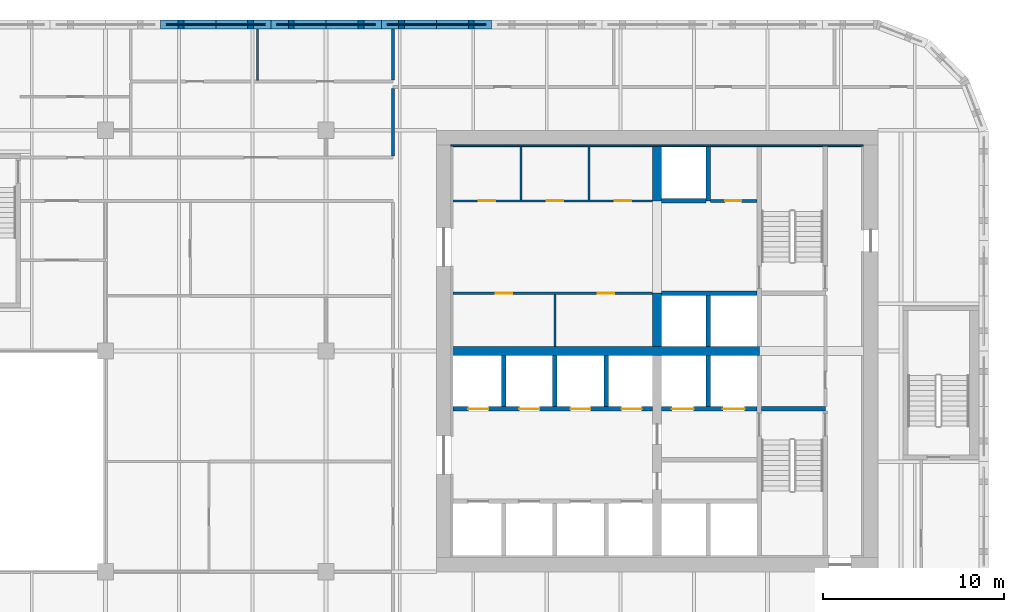
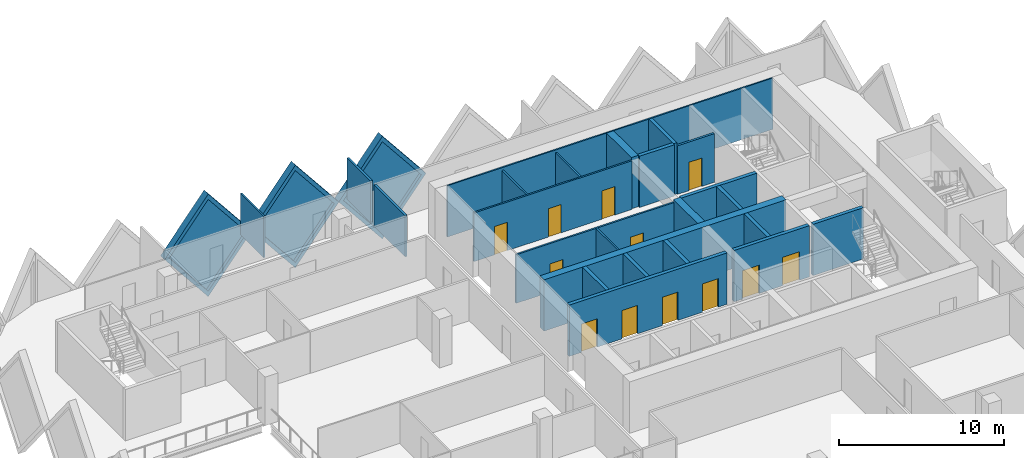
# One storey, part 9 of 19: 27 walls, 12 doors, 3 plates, 15 openings.
"""IFC4 building model written with IfcOpenShell, lengths in metres."""

from ifc_helpers import new_model, si_unit, direction, frame, frame_2d, origin, place, context, subcontext, project, spatial, polyline, rectangle, outline, extrude, faceted_brep, source, transform, mapped, material, layer, layer_set, type_object, element, fill, save


model = new_model("IFC4")

# Units and contexts
model_context = context("Model", 3, precision=1e-05, world=origin(), true_north=direction((0.0, 1.0)))
body_context = subcontext(model_context, "Body", "Model", "MODEL_VIEW")
ifc_project = project(units=[si_unit("LENGTHUNIT", "METRE"), si_unit("AREAUNIT", "SQUARE_METRE"), si_unit("VOLUMEUNIT", "CUBIC_METRE"), si_unit("PLANEANGLEUNIT", "RADIAN"), si_unit("MASSUNIT", "GRAM", prefix="KILO")], contexts=[model_context])

# Site, building, storey
site_placement = place(None, origin())
site = spatial("IfcSite", under=ifc_project, at=site_placement, CompositionType="ELEMENT")
building_placement = place(site_placement, origin())
building = spatial("IfcBuilding", under=site, at=building_placement, Name="Tessera Gate Towers", CompositionType="ELEMENT")
storey_placement = place(building_placement, frame((0.0, 0.0, 83.800048828125)))
storey = spatial("IfcBuildingStorey", under=building, at=storey_placement, Name="L20", CompositionType="ELEMENT", Elevation=83.800048828125)

# Wall, openings, doors
ifc_material_1 = material(Name="Concrete C40/50", Category="concrete")
ifc_layer_1 = layer(ifc_material_1, 0.25)
ifc_layer_set_1 = layer_set([ifc_layer_1], Name="CORE ENCLOSURE WALL 250")
wall_type_1 = type_object("IfcWallType", Name="CORE ENCLOSURE WALL 250", PredefinedType="SOLIDWALL", material=ifc_layer_set_1)
wall_1_placement = place(storey_placement, frame((42.449951171875, 33.39990234375, 0.0), z_axis=(0.0, 0.0, 1.0), x_axis=(-1.0, 0.0, 0.0)))
wall_1 = element("IfcWall", 1, at=wall_1_placement, inside=storey, type_object=wall_type_1, Name="L20 shaft and stair enclosure wall", PredefinedType="SOLIDWALL", context=body_context, shape_type="SweptSolid", body=[
    extrude(rectangle(XDim=11.050048828125, YDim=0.25, at=frame_2d((5.52490234375, 0.0))), origin(), (0.0, 0.0, 1.0), 3.800048828125),
])
shared_shape_1 = source(origin(), body_context, "Body", "SweptSolid", [
    extrude(rectangle(XDim=1.10009765625, YDim=2.10009765625, at=frame_2d((0.550048828125, 1.050048828125))), frame((0.0, 0.135009765625, 0.0), z_axis=(0.0, -1.0, 0.0), x_axis=(1.0, 0.0, 0.0)), (0.0, 0.0, 1.0), 0.27001953125),
])
opening_1_placement = place(wall_1_placement, frame((9.08740234375, 0.0, 0.0)))
opening_1 = element("IfcOpeningElement", 2, at=opening_1_placement, cuts=wall_1, Name="Opening LD-LR5", PredefinedType="OPENING", context=body_context, shape_type="MappedRepresentation", body=[
    mapped(shared_shape_1, transform((0.0, 0.0, 0.0), scale=1.0)),
])
opening_2_placement = place(wall_1_placement, frame((6.262451171875, 0.0, 0.0)))
opening_2 = element("IfcOpeningElement", 3, at=opening_2_placement, cuts=wall_1, Name="Opening LD-LR6", PredefinedType="OPENING", context=body_context, shape_type="MappedRepresentation", body=[
    mapped(shared_shape_1, transform((0.0, 0.0, 0.0), scale=1.0)),
])
opening_3_placement = place(wall_1_placement, frame((3.4375, 0.0, 0.0)))
opening_3 = element("IfcOpeningElement", 4, at=opening_3_placement, cuts=wall_1, Name="Opening LD-LR7", PredefinedType="OPENING", context=body_context, shape_type="MappedRepresentation", body=[
    mapped(shared_shape_1, transform((0.0, 0.0, 0.0), scale=1.0)),
])
opening_4_placement = place(wall_1_placement, frame((0.612548828125, 0.0, 0.0)))
opening_4 = element("IfcOpeningElement", 5, at=opening_4_placement, cuts=wall_1, Name="Opening LD-LR8", PredefinedType="OPENING", context=body_context, shape_type="MappedRepresentation", body=[
    mapped(shared_shape_1, transform((0.0, 0.0, 0.0), scale=1.0)),
])
ifc_material_2 = material(Name="Stainless steel", Category="steel")
door_type_1 = type_object("IfcDoorType", Name="CORE DOOR LD 1100x2100", OperationType="DOUBLE_DOOR_SLIDING", PredefinedType="DOOR", material=ifc_material_2)
shared_shape_2 = source(origin(), body_context, "Body", "SweptSolid", [
    extrude(rectangle(XDim=1.10009765625, YDim=2.10009765625, at=frame_2d((0.550048828125, 1.050048828125))), frame((0.0, 0.02490234375, 0.0), z_axis=(0.0, -1.0, 0.0), x_axis=(1.0, 0.0, 0.0)), (0.0, 0.0, 1.0), 0.050048828125),
])
door_1_placement = place(opening_1_placement, origin())
door_1 = element("IfcDoor", 6, at=door_1_placement, inside=storey, type_object=door_type_1, Name="Landing door LR5 L20", OperationType="DOUBLE_DOOR_SLIDING", OverallHeight=2.10009765625, OverallWidth=1.10009765625, PredefinedType="DOOR", context=body_context, shape_type="MappedRepresentation", body=[
    mapped(shared_shape_2, transform((0.0, 0.0, 0.0), scale=1.0)),
])
fill(opening_1, door_1)
door_2_placement = place(opening_2_placement, origin())
door_2 = element("IfcDoor", 7, at=door_2_placement, inside=storey, type_object=door_type_1, Name="Landing door LR6 L20", OperationType="DOUBLE_DOOR_SLIDING", OverallHeight=2.10009765625, OverallWidth=1.10009765625, PredefinedType="DOOR", context=body_context, shape_type="MappedRepresentation", body=[
    mapped(shared_shape_2, transform((0.0, 0.0, 0.0), scale=1.0)),
])
fill(opening_2, door_2)
door_3_placement = place(opening_3_placement, origin())
door_3 = element("IfcDoor", 8, at=door_3_placement, inside=storey, type_object=door_type_1, Name="Landing door LR7 L20", OperationType="DOUBLE_DOOR_SLIDING", OverallHeight=2.10009765625, OverallWidth=1.10009765625, PredefinedType="DOOR", context=body_context, shape_type="MappedRepresentation", body=[
    mapped(shared_shape_2, transform((0.0, 0.0, 0.0), scale=1.0)),
])
fill(opening_3, door_3)
door_4_placement = place(opening_4_placement, origin())
door_4 = element("IfcDoor", 9, at=door_4_placement, inside=storey, type_object=door_type_1, Name="Landing door LR8 L20", OperationType="DOUBLE_DOOR_SLIDING", OverallHeight=2.10009765625, OverallWidth=1.10009765625, PredefinedType="DOOR", context=body_context, shape_type="MappedRepresentation", body=[
    mapped(shared_shape_2, transform((0.0, 0.0, 0.0), scale=1.0)),
])
fill(opening_4, door_4)

wall_2_placement = place(storey_placement, frame((48.22509765625, 33.39990234375, 0.0), z_axis=(0.0, 0.0, 1.0), x_axis=(-1.0, 0.0, 0.0)))
wall_2 = element("IfcWall", 10, at=wall_2_placement, inside=storey, type_object=wall_type_1, Name="L20 shaft and stair enclosure wall", PredefinedType="SOLIDWALL", context=body_context, shape_type="SweptSolid", body=[
    extrude(rectangle(XDim=5.275146484375, YDim=0.25, at=frame_2d((2.6376953125, 0.0))), origin(), (0.0, 0.0, 1.0), 3.800048828125),
])
shared_shape_3 = source(origin(), body_context, "Body", "SweptSolid", [
    extrude(rectangle(XDim=1.199951171875, YDim=2.10009765625, at=frame_2d((0.60009765625, 1.050048828125))), frame((0.0, 0.135009765625, 0.0), z_axis=(0.0, -1.0, 0.0), x_axis=(1.0, 0.0, 0.0)), (0.0, 0.0, 1.0), 0.27001953125),
])
opening_5_placement = place(wall_2_placement, frame((3.512451171875, 0.0, 0.0)))
opening_5 = element("IfcOpeningElement", 11, at=opening_5_placement, cuts=wall_2, Name="Opening LD-FF1", PredefinedType="OPENING", context=body_context, shape_type="MappedRepresentation", body=[
    mapped(shared_shape_3, transform((0.0, 0.0, 0.0), scale=1.0)),
])
opening_6_placement = place(wall_2_placement, frame((0.6875, 0.0, 0.0)))
opening_6 = element("IfcOpeningElement", 12, at=opening_6_placement, cuts=wall_2, Name="Opening LD-FF2", PredefinedType="OPENING", context=body_context, shape_type="MappedRepresentation", body=[
    mapped(shared_shape_3, transform((0.0, 0.0, 0.0), scale=1.0)),
])
ifc_material_3 = material(Name="Stainless steel", Category="steel")
door_type_2 = type_object("IfcDoorType", Name="CORE DOOR LD1200 1200x2100", OperationType="DOUBLE_DOOR_SLIDING", PredefinedType="DOOR", material=ifc_material_3)
shared_shape_4 = source(origin(), body_context, "Body", "SweptSolid", [
    extrude(rectangle(XDim=1.199951171875, YDim=2.10009765625, at=frame_2d((0.60009765625, 1.050048828125))), frame((0.0, 0.02490234375, 0.0), z_axis=(0.0, -1.0, 0.0), x_axis=(1.0, 0.0, 0.0)), (0.0, 0.0, 1.0), 0.050048828125),
])
door_5_placement = place(opening_5_placement, origin())
door_5 = element("IfcDoor", 13, at=door_5_placement, inside=storey, type_object=door_type_2, Name="Landing door FF1 L20", OperationType="DOUBLE_DOOR_SLIDING", OverallHeight=2.10009765625, OverallWidth=1.199951171875, PredefinedType="DOOR", context=body_context, shape_type="MappedRepresentation", body=[
    mapped(shared_shape_4, transform((0.0, 0.0, 0.0), scale=1.0)),
])
fill(opening_5, door_5)
door_6_placement = place(opening_6_placement, origin())
door_6 = element("IfcDoor", 14, at=door_6_placement, inside=storey, type_object=door_type_2, Name="Landing door FF2 L20", OperationType="DOUBLE_DOOR_SLIDING", OverallHeight=2.10009765625, OverallWidth=1.199951171875, PredefinedType="DOOR", context=body_context, shape_type="MappedRepresentation", body=[
    mapped(shared_shape_4, transform((0.0, 0.0, 0.0), scale=1.0)),
])
fill(opening_6, door_6)

# Walls
wall_3_placement = place(storey_placement, frame((48.47509765625, 33.39990234375, 0.0), z_axis=(0.0, 0.0, 1.0), x_axis=(1.0, 0.0, 0.0)))
element("IfcWall", 15, at=wall_3_placement, inside=storey, type_object=wall_type_1, Name="L20 shaft and stair enclosure wall", PredefinedType="SOLIDWALL", context=body_context, shape_type="SweptSolid", body=[
    extrude(rectangle(XDim=3.52490234375, YDim=0.25, at=frame_2d((1.762451171875, 0.0))), origin(), (0.0, 0.0, 1.0), 3.800048828125),
])
wall_4_placement = place(storey_placement, frame((42.949951171875, 39.800048828125, 0.0), z_axis=(0.0, 0.0, 1.0), x_axis=(1.0, 0.0, 0.0)))
element("IfcWall", 16, at=wall_4_placement, inside=storey, type_object=wall_type_1, Name="L20 shaft and stair enclosure wall", PredefinedType="SOLIDWALL", context=body_context, shape_type="SweptSolid", body=[
    extrude(rectangle(XDim=5.275146484375, YDim=0.25, at=frame_2d((2.6376953125, 0.0))), origin(), (0.0, 0.0, 1.0), 3.800048828125),
])
wall_5_placement = place(storey_placement, frame((45.52490234375, 33.52490234375, 0.0), z_axis=(0.0, 0.0, 1.0), x_axis=(0.0, 1.0, 0.0)))
element("IfcWall", 17, at=wall_5_placement, inside=storey, type_object=wall_type_1, Name="L20 shaft and stair enclosure wall", PredefinedType="SOLIDWALL", context=body_context, shape_type="SweptSolid", body=[
    extrude(rectangle(XDim=2.8251953125, YDim=0.25, at=frame_2d((1.41259765625, 0.0))), origin(), (0.0, 0.0, 1.0), 3.800048828125),
])
wall_6_placement = place(storey_placement, frame((45.52490234375, 36.85009765625, 0.0), z_axis=(0.0, 0.0, 1.0), x_axis=(0.0, 1.0, 0.0)))
element("IfcWall", 18, at=wall_6_placement, inside=storey, type_object=wall_type_1, Name="L20 shaft and stair enclosure wall", PredefinedType="SOLIDWALL", context=body_context, shape_type="SweptSolid", body=[
    extrude(rectangle(XDim=2.824951171875, YDim=0.25, at=frame_2d((1.41259765625, 0.0))), origin(), (0.0, 0.0, 1.0), 3.800048828125),
])
for number, where, z_axis, x_axis, name in (
    (19, (34.22509765625, 33.52490234375, 0.0), (0.0, 0.0, 1.0), (0.0, 1.0, 0.0), "L20 shaft and stair enclosure wall"),
    (20, (37.050048828125, 33.52490234375, 0.0), (0.0, 0.0, 1.0), (0.0, 1.0, 0.0), "L20 shaft and stair enclosure wall"),
    (21, (39.875, 33.52490234375, 0.0), (0.0, 0.0, 1.0), (0.0, 1.0, 0.0), "L20 shaft and stair enclosure wall"),
):
    element("IfcWall", number, at=place(storey_placement, frame(where, z_axis=z_axis, x_axis=x_axis)), inside=storey, type_object=wall_type_1, Name=name, PredefinedType="SOLIDWALL", context=body_context, shape_type="SweptSolid", body=[
        extrude(rectangle(XDim=2.8251953125, YDim=0.25, at=frame_2d((1.41259765625, 0.0))), origin(), (0.0, 0.0, 1.0), 3.800048828125),
    ])
wall_7_placement = place(storey_placement, frame((45.52490234375, 44.89990234375, 0.0), z_axis=(0.0, 0.0, 1.0), x_axis=(0.0, 1.0, 0.0)))
element("IfcWall", 22, at=wall_7_placement, inside=storey, type_object=wall_type_1, Name="L20 shaft and stair enclosure wall", PredefinedType="SOLIDWALL", context=body_context, shape_type="SweptSolid", body=[
    extrude(rectangle(XDim=3.0, YDim=0.25, at=frame_2d((1.5, 0.0))), origin(), (0.0, 0.0, 1.0), 3.800048828125),
])
wall_8_placement = place(storey_placement, frame((42.949951171875, 44.89990234375, 0.0), z_axis=(0.0, 0.0, 1.0), x_axis=(1.0, 0.0, 0.0)))
element("IfcWall", 23, at=wall_8_placement, inside=storey, type_object=wall_type_1, Name="L20 shaft and stair enclosure wall", PredefinedType="SOLIDWALL", context=body_context, shape_type="SweptSolid", body=[
    extrude(rectangle(XDim=2.449951171875, YDim=0.25, at=frame_2d((1.22509765625, 0.0))), origin(), (0.0, 0.0, 1.0), 3.800048828125),
])

# Wall, openings, doors
ifc_material_4 = material(Name="Gypsum board on steel studs", Category="steel")
ifc_layer_2 = layer(ifc_material_4, 0.1201171875)
ifc_layer_set_2 = layer_set([ifc_layer_2], Name="CORE PARTITION 120")
wall_type_2 = type_object("IfcWallType", Name="CORE PARTITION 120", PredefinedType="PARTITIONING", material=ifc_layer_set_2)
wall_9_placement = place(storey_placement, frame((42.449951171875, 39.800048828125, 0.0), z_axis=(0.0, 0.0, 1.0), x_axis=(-1.0, 0.0, 0.0)))
wall_9 = element("IfcWall", 24, at=wall_9_placement, inside=storey, type_object=wall_type_2, Name="L20 core partition", PredefinedType="PARTITIONING", context=body_context, shape_type="SweptSolid", body=[
    extrude(rectangle(XDim=11.050048828125, YDim=0.1201171875, at=frame_2d((5.52490234375, 0.0))), origin(), (0.0, 0.0, 1.0), 3.599853515625),
])
shared_shape_5 = source(origin(), body_context, "Body", "SweptSolid", [
    extrude(rectangle(XDim=0.89990234375, YDim=2.10009765625, at=frame_2d((0.449951171875, 1.050048828125))), frame((0.0, 0.070068359375, 0.0), z_axis=(0.0, -1.0, 0.0), x_axis=(1.0, 0.0, 0.0)), (0.0, 0.0, 1.0), 0.14013671875),
])
opening_7_placement = place(wall_9_placement, frame((7.77490234375, 0.0, 0.0)))
opening_7 = element("IfcOpeningElement", 25, at=opening_7_placement, cuts=wall_9, Name="Opening RD-T1-14-07", PredefinedType="OPENING", context=body_context, shape_type="MappedRepresentation", body=[
    mapped(shared_shape_5, transform((0.0, 0.0, 0.0), scale=1.0)),
])
opening_8_placement = place(wall_9_placement, frame((2.125, 0.0, 0.0)))
opening_8 = element("IfcOpeningElement", 26, at=opening_8_placement, cuts=wall_9, Name="Opening RD-T1-14-08", PredefinedType="OPENING", context=body_context, shape_type="MappedRepresentation", body=[
    mapped(shared_shape_5, transform((0.0, 0.0, 0.0), scale=1.0)),
])
ifc_material_5 = material(Name="Hollow steel fire door", Category="steel")
door_type_3 = type_object("IfcDoorType", Name="CORE DOOR RD 900x2100", OperationType="NOTDEFINED", PredefinedType="DOOR", material=ifc_material_5)
shared_shape_6 = source(origin(), body_context, "Body", "SweptSolid", [
    extrude(rectangle(XDim=0.89990234375, YDim=2.10009765625, at=frame_2d((0.449951171875, 1.050048828125))), frame((0.0, 0.02490234375, 0.0), z_axis=(0.0, -1.0, 0.0), x_axis=(1.0, 0.0, 0.0)), (0.0, 0.0, 1.0), 0.050048828125),
])
door_7_placement = place(opening_7_placement, origin())
door_7 = element("IfcDoor", 27, at=door_7_placement, inside=storey, type_object=door_type_3, Name="Core room door", OperationType="SINGLE_SWING_RIGHT", OverallHeight=2.10009765625, OverallWidth=0.89990234375, PredefinedType="DOOR", context=body_context, shape_type="MappedRepresentation", body=[
    mapped(shared_shape_6, transform((0.0, 0.0, 0.0), scale=1.0)),
])
fill(opening_7, door_7)
door_8_placement = place(opening_8_placement, origin())
door_8 = element("IfcDoor", 28, at=door_8_placement, inside=storey, type_object=door_type_3, Name="Core room door", OperationType="SINGLE_SWING_LEFT", OverallHeight=2.10009765625, OverallWidth=0.89990234375, PredefinedType="DOOR", context=body_context, shape_type="MappedRepresentation", body=[
    mapped(shared_shape_6, transform((0.0, 0.0, 0.0), scale=1.0)),
])
fill(opening_8, door_8)

wall_10_placement = place(storey_placement, frame((31.39990234375, 44.89990234375, 0.0), z_axis=(0.0, 0.0, 1.0), x_axis=(1.0, 0.0, 0.0)))
wall_10 = element("IfcWall", 29, at=wall_10_placement, inside=storey, type_object=wall_type_2, Name="L20 core partition", PredefinedType="PARTITIONING", context=body_context, shape_type="SweptSolid", body=[
    extrude(rectangle(XDim=11.050048828125, YDim=0.1201171875, at=frame_2d((5.52490234375, 0.0))), origin(), (0.0, 0.0, 1.0), 3.599853515625),
])
opening_9_placement = place(wall_10_placement, frame((1.4375, 0.0, 0.0)))
opening_9 = element("IfcOpeningElement", 30, at=opening_9_placement, cuts=wall_10, Name="Opening RD-T1-14-09", PredefinedType="OPENING", context=body_context, shape_type="MappedRepresentation", body=[
    mapped(shared_shape_5, transform((0.0, 0.0, 0.0), scale=1.0)),
])
opening_10_placement = place(wall_10_placement, frame((5.199951171875, 0.0, 0.0)))
opening_10 = element("IfcOpeningElement", 31, at=opening_10_placement, cuts=wall_10, Name="Opening RD-T1-14-10", PredefinedType="OPENING", context=body_context, shape_type="MappedRepresentation", body=[
    mapped(shared_shape_5, transform((0.0, 0.0, 0.0), scale=1.0)),
])
opening_11_placement = place(wall_10_placement, frame((8.96240234375, 0.0, 0.0)))
opening_11 = element("IfcOpeningElement", 32, at=opening_11_placement, cuts=wall_10, Name="Opening RD-T1-14-11", PredefinedType="OPENING", context=body_context, shape_type="MappedRepresentation", body=[
    mapped(shared_shape_5, transform((0.0, 0.0, 0.0), scale=1.0)),
])
door_9_placement = place(opening_9_placement, origin())
door_9 = element("IfcDoor", 33, at=door_9_placement, inside=storey, type_object=door_type_3, Name="Core room door", OperationType="SINGLE_SWING_LEFT", OverallHeight=2.10009765625, OverallWidth=0.89990234375, PredefinedType="DOOR", context=body_context, shape_type="MappedRepresentation", body=[
    mapped(shared_shape_6, transform((0.0, 0.0, 0.0), scale=1.0)),
])
fill(opening_9, door_9)
door_10_placement = place(opening_10_placement, origin())
door_10 = element("IfcDoor", 34, at=door_10_placement, inside=storey, type_object=door_type_3, Name="Core room door", OperationType="SINGLE_SWING_RIGHT", OverallHeight=2.10009765625, OverallWidth=0.89990234375, PredefinedType="DOOR", context=body_context, shape_type="MappedRepresentation", body=[
    mapped(shared_shape_6, transform((0.0, 0.0, 0.0), scale=1.0)),
])
fill(opening_10, door_10)
door_11_placement = place(opening_11_placement, origin())
door_11 = element("IfcDoor", 35, at=door_11_placement, inside=storey, type_object=door_type_3, Name="Core room door", OperationType="SINGLE_SWING_RIGHT", OverallHeight=2.10009765625, OverallWidth=0.89990234375, PredefinedType="DOOR", context=body_context, shape_type="MappedRepresentation", body=[
    mapped(shared_shape_6, transform((0.0, 0.0, 0.0), scale=1.0)),
])
fill(opening_11, door_11)

# Walls
wall_11_placement = place(storey_placement, frame((37.050048828125, 36.85009765625, 0.0), z_axis=(0.0, 0.0, 1.0), x_axis=(0.0, 1.0, 0.0)))
element("IfcWall", 36, at=wall_11_placement, inside=storey, type_object=wall_type_2, Name="L20 core partition", PredefinedType="PARTITIONING", context=body_context, shape_type="SweptSolid", body=[
    extrude(rectangle(XDim=2.889892578125, YDim=0.1201171875, at=frame_2d((1.44482421875, 0.0))), origin(), (0.0, 0.0, 1.0), 3.599853515625),
])
for number, where, z_axis, x_axis, name in (
    (37, (35.175048828125, 44.9599609375, 0.0), (0.0, 0.0, 1.0), (0.0, 1.0, 0.0), "L20 core partition"),
    (38, (38.925048828125, 44.9599609375, 0.0), (0.0, 0.0, 1.0), (0.0, 1.0, 0.0), "L20 core partition"),
):
    element("IfcWall", number, at=place(storey_placement, frame(where, z_axis=z_axis, x_axis=x_axis)), inside=storey, type_object=wall_type_2, Name=name, PredefinedType="PARTITIONING", context=body_context, shape_type="SweptSolid", body=[
        extrude(rectangle(XDim=2.93994140625, YDim=0.1201171875, at=frame_2d((1.469970703125, 0.0))), origin(), (0.0, 0.0, 1.0), 3.599853515625),
    ])
ifc_material_6 = material(Name="Concrete C60/75", Category="concrete")
ifc_layer_3 = layer(ifc_material_6, 0.5)
ifc_layer_set_3 = layer_set([ifc_layer_3], Name="CORE SPINE WALL 500 C60/75")
wall_type_3 = type_object("IfcWallType", Name="CORE SPINE WALL 500 C60/75", PredefinedType="SHEAR", material=ifc_layer_set_3)
wall_12_placement = place(storey_placement, frame((31.39990234375, 36.60009765625, 0.0), z_axis=(0.0, 0.0, 1.0), x_axis=(1.0, 0.0, 0.0)))
element("IfcWall", 39, at=wall_12_placement, inside=storey, type_object=wall_type_3, Name="Core wall spine L20", PredefinedType="SHEAR", context=body_context, shape_type="SweptSolid", body=[
    extrude(rectangle(XDim=16.9501953125, YDim=0.5, at=frame_2d((8.47509765625, 0.0))), origin(), (0.0, 0.0, 1.0), 3.800048828125),
])
wall_13_placement = place(storey_placement, frame((42.699951171875, 36.85009765625, 0.0), z_axis=(0.0, 0.0, 1.0), x_axis=(0.0, 1.0, 0.0)))
element("IfcWall", 40, at=wall_13_placement, inside=storey, type_object=wall_type_3, Name="Core wall spine L20", PredefinedType="SHEAR", context=body_context, shape_type="SweptSolid", body=[
    extrude(rectangle(XDim=2.949951171875, YDim=0.5, at=frame_2d((1.47509765625, 0.0))), origin(), (0.0, 0.0, 1.0), 3.800048828125),
])
wall_14_placement = place(storey_placement, frame((42.699951171875, 44.89990234375, 0.0), z_axis=(0.0, 0.0, 1.0), x_axis=(0.0, 1.0, 0.0)))
element("IfcWall", 41, at=wall_14_placement, inside=storey, type_object=wall_type_3, Name="Core wall spine L20", PredefinedType="SHEAR", context=body_context, shape_type="SweptSolid", body=[
    extrude(rectangle(XDim=3.0, YDim=0.5, at=frame_2d((1.5, 0.0))), origin(), (0.0, 0.0, 1.0), 3.800048828125),
])
ifc_material_7 = material(Name="Concrete C60/75", Category="concrete")
ifc_layer_4 = layer(ifc_material_7, 0.10009765625)
ifc_layer_set_4 = layer_set([ifc_layer_4], Name="CORE WALL THICKENING 100")
wall_type_4 = type_object("IfcWallType", Name="CORE WALL THICKENING 100", PredefinedType="SOLIDWALL", material=ifc_layer_set_4)
wall_15_placement = place(storey_placement, frame((31.300048828125, 47.949951171875, 0.0), z_axis=(0.0, 0.0, 1.0), x_axis=(1.0, 0.0, 0.0)))
element("IfcWall", 42, at=wall_15_placement, inside=storey, type_object=wall_type_4, Name="Core wall thickening N L20", PredefinedType="SOLIDWALL", context=body_context, shape_type="SweptSolid", body=[
    extrude(rectangle(XDim=22.800048828125, YDim=0.10009765625, at=frame_2d((11.39990234375, 0.0))), origin(), (0.0, 0.0, 1.0), 3.800048828125),
])
ifc_material_8 = material(Name="Gypsum board on steel studs, mineral wool", Category="steel")
ifc_layer_5 = layer(ifc_material_8, 0.14990234375)
ifc_layer_set_5 = layer_set([ifc_layer_5], Name="CORRIDOR WALL 150")
wall_type_5 = type_object("IfcWallType", Name="CORRIDOR WALL 150", PredefinedType="PARTITIONING", material=ifc_layer_set_5)
wall_16_placement = place(storey_placement, frame((28.10009765625, 47.3759765625, 0.0), z_axis=(0.0, 0.0, 1.0), x_axis=(0.0, 1.0, 0.0)))
element("IfcWall", 43, at=wall_16_placement, inside=storey, type_object=wall_type_5, Name="T1-L20-PW-042", PredefinedType="PARTITIONING", context=body_context, shape_type="SweptSolid", body=[
    extrude(rectangle(XDim=3.748046875, YDim=0.14990234375, at=frame_2d((1.8740234375, 0.0))), origin(), (0.0, 0.0, 1.0), 3.06689453125),
])
ifc_material_9 = material(Name="Gypsum board on steel studs", Category="steel")
ifc_layer_6 = layer(ifc_material_9, 0.10009765625)
ifc_layer_set_6 = layer_set([ifc_layer_6], Name="PARTITION 100")
wall_type_6 = type_object("IfcWallType", Name="PARTITION 100", PredefinedType="PARTITIONING", material=ifc_layer_set_6)
wall_17_placement = place(storey_placement, frame((20.60498046875, 51.575927734375, 0.0), z_axis=(0.0, 0.0, 1.0), x_axis=(0.0, 1.0, 0.0)))
element("IfcWall", 44, at=wall_17_placement, inside=storey, type_object=wall_type_6, Name="T1-L20-PW-051", PredefinedType="PARTITIONING", context=body_context, shape_type="SweptSolid", body=[
    extrude(rectangle(XDim=2.823974609375, YDim=0.10009765625, at=frame_2d((1.412109375, 0.0))), origin(), (0.0, 0.0, 1.0), 3.06689453125),
])

# Wall, opening, door
ifc_material_10 = material(Name="Gypsum board on steel studs", Category="steel")
ifc_layer_7 = layer(ifc_material_10, 0.14990234375)
ifc_layer_set_7 = layer_set([ifc_layer_7], Name="SERVICE ROOM WALL 150")
wall_type_7 = type_object("IfcWallType", Name="SERVICE ROOM WALL 150", PredefinedType="PARTITIONING", material=ifc_layer_set_7)
wall_18_placement = place(storey_placement, frame((45.64990234375, 44.89990234375, 0.0), z_axis=(0.0, 0.0, 1.0), x_axis=(1.0, 0.0, 0.0)))
wall_18 = element("IfcWall", 45, at=wall_18_placement, inside=storey, type_object=wall_type_7, Name="L20 service room wall", PredefinedType="PARTITIONING", context=body_context, shape_type="SweptSolid", body=[
    extrude(rectangle(XDim=2.5751953125, YDim=0.14990234375, at=frame_2d((1.28759765625, 0.0))), origin(), (0.0, 0.0, 1.0), 3.599853515625),
])
shared_shape_7 = source(origin(), body_context, "Body", "SweptSolid", [
    extrude(rectangle(XDim=0.89990234375, YDim=2.10009765625, at=frame_2d((0.449951171875, 1.050048828125))), frame((0.0, 0.0849609375, 0.0), z_axis=(0.0, -1.0, 0.0), x_axis=(1.0, 0.0, 0.0)), (0.0, 0.0, 1.0), 0.169921875),
])
opening_12_placement = place(wall_18_placement, frame((0.800048828125, 0.0, 0.0)))
opening_12 = element("IfcOpeningElement", 46, at=opening_12_placement, cuts=wall_18, Name="Opening RD-T1-14-13", PredefinedType="OPENING", context=body_context, shape_type="MappedRepresentation", body=[
    mapped(shared_shape_7, transform((0.0, 0.0, 0.0), scale=1.0)),
])
door_12_placement = place(opening_12_placement, origin())
door_12 = element("IfcDoor", 47, at=door_12_placement, inside=storey, type_object=door_type_3, Name="Core room door", OperationType="SINGLE_SWING_LEFT", OverallHeight=2.10009765625, OverallWidth=0.89990234375, PredefinedType="DOOR", context=body_context, shape_type="MappedRepresentation", body=[
    mapped(shared_shape_6, transform((0.0, 0.0, 0.0), scale=1.0)),
])
fill(opening_12, door_12)

# Wall
ifc_material_11 = material(Name="Gypsum board on steel studs, mineral wool", Category="steel")
ifc_layer_8 = layer(ifc_material_11, 0.14990234375)
ifc_layer_set_8 = layer_set([ifc_layer_8], Name="TENANCY WALL 150")
wall_type_8 = type_object("IfcWallType", Name="TENANCY WALL 150", PredefinedType="PARTITIONING", material=ifc_layer_set_8)
wall_19_placement = place(storey_placement, frame((28.10009765625, 51.575927734375, 0.0), z_axis=(0.0, 0.0, 1.0), x_axis=(0.0, 1.0, 0.0)))
element("IfcWall", 48, at=wall_19_placement, inside=storey, type_object=wall_type_8, Name="T1-L20-PW-052", PredefinedType="PARTITIONING", context=body_context, shape_type="SweptSolid", body=[
    extrude(rectangle(XDim=2.823974609375, YDim=0.14990234375, at=frame_2d((1.412109375, 0.0))), origin(), (0.0, 0.0, 1.0), 3.06689453125),
])

# Wall, opening, plate
ifc_material_12 = material(Name="Precast concrete C60/75 white", Category="concrete")
ifc_layer_9 = layer(ifc_material_12, 0.5)
ifc_layer_set_9 = layer_set([ifc_layer_9], Name="TS1 tessera")
wall_type_9 = type_object("IfcWallType", Name="TS1 tessera", PredefinedType="SOLIDWALL", material=ifc_layer_set_9)
shared_shape_8 = source(origin(), body_context, "Body", "Brep", [
    faceted_brep([(3.050048828125, -0.25, 0.0), (6.099853515625, -0.25, 3.7998046875), (6.099853515625, -0.25, 3.80029296875), (3.050048828125, -0.25, 7.60009765625), (0.0, -0.25, 3.800048828125), (0.0, 0.25, 3.800048828125), (3.050048828125, 0.25, 7.60009765625), (6.099853515625, 0.25, 3.80029296875), (6.099853515625, 0.25, 3.7998046875), (3.050048828125, 0.25, 0.0)], [[[0, 1, 2, 3, 4]], [[5, 6, 7, 8, 9]], [[9, 8, 1, 0]], [[7, 6, 3, 2]], [[6, 5, 4, 3]], [[5, 9, 0, 4]], [[1, 8, 7, 2]]]),
])
wall_20_placement = place(storey_placement, frame((27.449951171875, 54.64990234375, -3.800048828125), z_axis=(0.0, 0.0, 1.0), x_axis=(-1.0, 0.0, 0.0)))
wall_20 = element("IfcWall", 49, at=wall_20_placement, inside=storey, type_object=wall_type_9, Name="Precast tessera T1 TS1-0313", PredefinedType="SOLIDWALL", context=body_context, shape_type="MappedRepresentation", body=[
    mapped(shared_shape_8, transform((0.0, 0.0, 0.0), scale=1.0)),
])
shared_shape_9 = source(origin(), body_context, "Body", "SweptSolid", [
    extrude(outline(polyline([(3.050048828125, 0.3994140625), (5.779541015625, 3.800048828125), (3.050048828125, 7.20068359375), (0.320556640625, 3.800048828125), (3.050048828125, 0.3994140625)])), frame((0.0, 0.260009765625, 0.0), z_axis=(0.0, -1.0, 0.0), x_axis=(1.0, 0.0, 0.0)), (0.0, 0.0, 1.0), 0.52001953125),
])
opening_13_placement = place(wall_20_placement, origin())
opening_13 = element("IfcOpeningElement", 50, at=opening_13_placement, cuts=wall_20, Name="Opening T1-PL2-0635", PredefinedType="OPENING", context=body_context, shape_type="MappedRepresentation", body=[
    mapped(shared_shape_9, transform((0.0, 0.0, 0.0), scale=1.0)),
])
ifc_material_13 = material(Name="Low-e laminated glass", Category="glass")
ifc_layer_10 = layer(ifc_material_13, 0.06005859375)
ifc_layer_set_10 = layer_set([ifc_layer_10], Name="PL2 rhombic pane")
plate_type = type_object("IfcPlateType", Name="PL2 rhombic pane", PredefinedType="SHEET", material=ifc_layer_set_10)
shared_shape_10 = source(origin(), body_context, "Body", "SweptSolid", [
    extrude(outline(polyline([(3.050048828125, 0.3994140625), (5.779541015625, 3.800048828125), (3.050048828125, 7.20068359375), (0.320556640625, 3.800048828125), (3.050048828125, 0.3994140625)])), frame((0.0, 0.030029296875, 0.0), z_axis=(0.0, -1.0, 0.0), x_axis=(1.0, 0.0, 0.0)), (0.0, 0.0, 1.0), 0.06005859375),
])
plate_1_placement = place(opening_13_placement, origin())
plate_1 = element("IfcPlate", 51, at=plate_1_placement, inside=storey, type_object=plate_type, Name="Glass pane T1 PL2-0635", PredefinedType="SHEET", context=body_context, shape_type="MappedRepresentation", body=[
    mapped(shared_shape_10, transform((0.0, 0.0, 0.0), scale=1.0)),
])
fill(opening_13, plate_1)

shared_shape_11 = source(origin(), body_context, "Body", "SweptSolid", [
    extrude(outline(polyline([(3.050048828125, 0.0), (6.10009765625, 3.800048828125), (3.050048828125, 7.60009765625), (0.0, 3.800048828125), (3.050048828125, 0.0)])), frame((0.0, 0.25, 0.0), z_axis=(0.0, -1.0, 0.0), x_axis=(1.0, 0.0, 0.0)), (0.0, 0.0, 1.0), 0.5),
])
wall_21_placement = place(storey_placement, frame((33.550048828125, 54.64990234375, -3.800048828125), z_axis=(0.0, 0.0, 1.0), x_axis=(-1.0, 0.0, 0.0)))
wall_21 = element("IfcWall", 52, at=wall_21_placement, inside=storey, type_object=wall_type_9, Name="Precast tessera T1 TS1-0312", PredefinedType="SOLIDWALL", context=body_context, shape_type="MappedRepresentation", body=[
    mapped(shared_shape_11, transform((0.0, 0.0, 0.0), scale=1.0)),
])
opening_14_placement = place(wall_21_placement, origin())
opening_14 = element("IfcOpeningElement", 53, at=opening_14_placement, cuts=wall_21, Name="Opening T1-PL2-0634", PredefinedType="OPENING", context=body_context, shape_type="MappedRepresentation", body=[
    mapped(shared_shape_9, transform((0.0, 0.0, 0.0), scale=1.0)),
])
plate_2_placement = place(opening_14_placement, origin())
plate_2 = element("IfcPlate", 54, at=plate_2_placement, inside=storey, type_object=plate_type, Name="Glass pane T1 PL2-0634", PredefinedType="SHEET", context=body_context, shape_type="MappedRepresentation", body=[
    mapped(shared_shape_10, transform((0.0, 0.0, 0.0), scale=1.0)),
])
fill(opening_14, plate_2)

wall_22_placement = place(storey_placement, frame((21.35009765625, 54.64990234375, -3.800048828125), z_axis=(0.0, 0.0, 1.0), x_axis=(-1.0, 0.0, 0.0)))
wall_22 = element("IfcWall", 55, at=wall_22_placement, inside=storey, type_object=wall_type_9, Name="Precast tessera T1 TS1-0314", PredefinedType="SOLIDWALL", context=body_context, shape_type="MappedRepresentation", body=[
    mapped(shared_shape_11, transform((0.0, 0.0, 0.0), scale=1.0)),
])
opening_15_placement = place(wall_22_placement, origin())
opening_15 = element("IfcOpeningElement", 56, at=opening_15_placement, cuts=wall_22, Name="Opening T1-PL2-0636", PredefinedType="OPENING", context=body_context, shape_type="MappedRepresentation", body=[
    mapped(shared_shape_9, transform((0.0, 0.0, 0.0), scale=1.0)),
])
plate_3_placement = place(opening_15_placement, origin())
plate_3 = element("IfcPlate", 57, at=plate_3_placement, inside=storey, type_object=plate_type, Name="Glass pane T1 PL2-0636", PredefinedType="SHEET", context=body_context, shape_type="MappedRepresentation", body=[
    mapped(shared_shape_10, transform((0.0, 0.0, 0.0), scale=1.0)),
])
fill(opening_15, plate_3)

save(model, "model.ifc")
